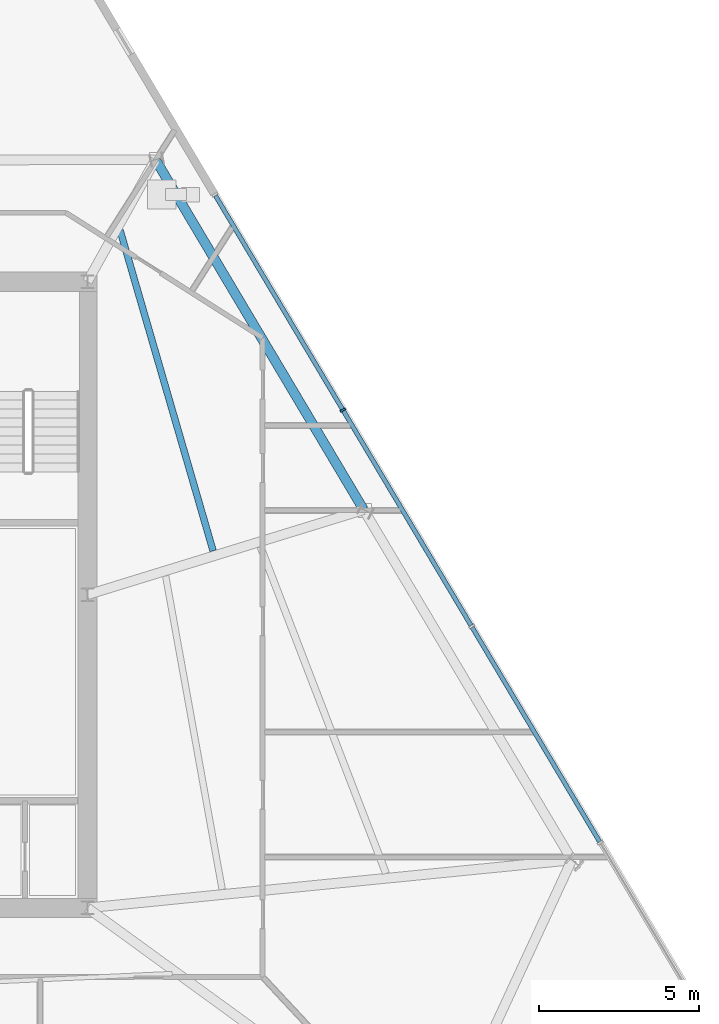
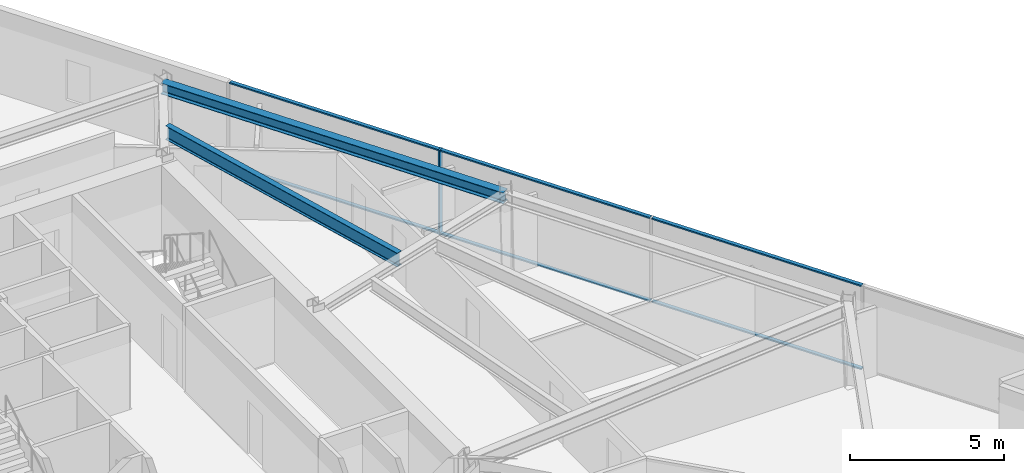
# One storey, part 5 of 15: 7 members, 2 beams, 1 element without a shape of its own.
"""IFC4 building model written with IfcOpenShell, lengths in metres."""

import ifcopenshell
import ifcopenshell.guid

model = None  # the IFC model being written
_history = None  # IfcOwnerHistory: only IFC2X3 demands one
_inside = {}  # id of a spatial element -> (the spatial element, [elements in it])
_under = {}  # id of a project, library or spatial element -> (it, [spatial elements below it])
_declared = {}  # id of a project -> (the project, [libraries it declares])
_typed = {}  # id of a type object -> (the type object, [elements of that type])
_made_of = {}  # id of a material, layer set ... -> (it, [elements and type objects made of it])


def new_model(schema):
    """Start an empty IFC model of exactly this schema.

    Asked for "IFC4X3", IfcOpenShell would pick the latest addendum, in which some entities
    have other attributes; the version numbers below select the first issue.
    IFC2X3 requires an IfcOwnerHistory on every rooted entity: one is made here for all.
    """
    global model, _history
    if schema == "IFC4X3":
        model = ifcopenshell.file(schema_version=(4, 3, 0, 0))
    else:
        model = ifcopenshell.file(schema=schema)
    _inside.clear()
    _under.clear()
    _declared.clear()
    _typed.clear()
    _made_of.clear()
    _history = None
    if model.schema == "IFC2X3":
        org = make("IfcOrganization", Name="unknown")
        user = make(
            "IfcPersonAndOrganization",
            ThePerson=make("IfcPerson", FamilyName="unknown"),
            TheOrganization=org,
        )
        app = make(
            "IfcApplication",
            ApplicationDeveloper=org,
            Version="unknown",
            ApplicationFullName="unknown",
            ApplicationIdentifier="unknown",
        )
        _history = make(
            "IfcOwnerHistory",
            OwningUser=user,
            OwningApplication=app,
            ChangeAction="ADDED",
            CreationDate=0,
        )
    return model


def make(cls, **values):
    """One entity of the class cls with the attributes given. An attribute that is None is left unset."""
    return model.create_entity(
        cls, **{name: value for name, value in values.items() if value is not None}
    )


def rooted(cls, **values):
    """An entity with a GlobalId (a new one), such as an element, a storey or a relation."""
    return make(cls, GlobalId=ifcopenshell.guid.new(), OwnerHistory=_history, **values)


def si_unit(unit_type, name, prefix=None):
    """IfcSIUnit, for example si_unit("LENGTHUNIT", "METRE", prefix="MILLI")."""
    return make("IfcSIUnit", UnitType=unit_type, Prefix=prefix, Name=name)


def assignment(units):
    """IfcUnitAssignment: the units of a project."""
    return None if units is None else make("IfcUnitAssignment", Units=units)


def point(xyz):
    """IfcCartesianPoint."""
    return None if xyz is None else make("IfcCartesianPoint", Coordinates=xyz)


def direction(xyz):
    """IfcDirection."""
    return None if xyz is None else make("IfcDirection", DirectionRatios=xyz)


def frame(location, z_axis=None, x_axis=None):
    """IfcAxis2Placement3D, a coordinate frame: its origin and axes. An axis left out is left unset."""
    return make(
        "IfcAxis2Placement3D",
        Location=point(location),
        Axis=direction(z_axis),
        RefDirection=direction(x_axis),
    )


def frame_2d(location, x_axis=None):
    """IfcAxis2Placement2D, a coordinate frame in the plane: its origin and x axis."""
    return make(
        "IfcAxis2Placement2D", Location=point(location), RefDirection=direction(x_axis)
    )


def origin():
    """The frame at (0, 0, 0) with its axes left unset."""
    return frame((0.0, 0.0, 0.0))


def origin_2d():
    """The frame at (0, 0) in the plane with its x axis left unset."""
    return frame_2d((0.0, 0.0))


def place(relative_to, where):
    """IfcLocalPlacement: puts the frame where relative to a parent placement (None: the world)."""
    return make(
        "IfcLocalPlacement", PlacementRelTo=relative_to, RelativePlacement=where
    )


def context(
    kind, dimensions, precision=None, world=None, true_north=None, identifier=None
):
    """IfcGeometricRepresentationContext, for example the 3D "Model" context."""
    return make(
        "IfcGeometricRepresentationContext",
        ContextIdentifier=identifier,
        ContextType=kind,
        CoordinateSpaceDimension=dimensions,
        Precision=precision,
        WorldCoordinateSystem=world,
        TrueNorth=true_north,
    )


def subcontext(parent, identifier, kind, view, scale=None):
    """IfcGeometricRepresentationSubContext, for example "Body" below "Model"."""
    return make(
        "IfcGeometricRepresentationSubContext",
        ContextIdentifier=identifier,
        ContextType=kind,
        ParentContext=parent,
        TargetScale=scale,
        TargetView=view,
    )


def project(units=None, contexts=None):
    """IfcProject with its units and contexts."""
    return rooted(
        "IfcProject",
        Name="project",
        RepresentationContexts=contexts,
        UnitsInContext=assignment(units),
    )


def spatial(cls, under=None, at=None, **own):
    """A site, building, storey or space (cls), placed at a placement, below another one or the project."""
    s = rooted(cls, ObjectPlacement=at, **own)
    if under is not None:
        _under.setdefault(under.id(), (under, []))[1].append(s)
    return s


def profile(cls, at=None, kind="AREA", **sizes):
    """A parametric profile (cls). Its sizes go by their IFC names, for example OverallWidth=200.0."""
    return make(cls, ProfileType=kind, Position=at, **sizes)


def rectangle(**sizes):
    """IfcRectangleProfileDef."""
    return profile("IfcRectangleProfileDef", **sizes)


def i_section(**sizes):
    """IfcIShapeProfileDef."""
    return profile("IfcIShapeProfileDef", **sizes)


def extrude(swept, where, along, depth):
    """IfcExtrudedAreaSolid: the profile swept, set in the frame where, extruded along a direction by depth."""
    return make(
        "IfcExtrudedAreaSolid",
        SweptArea=swept,
        Position=where,
        ExtrudedDirection=direction(along),
        Depth=depth,
    )


def shape(context_of_items, identifier, shape_type, items):
    """IfcShapeRepresentation: the items that make up one representation, for example the "Body"."""
    return make(
        "IfcShapeRepresentation",
        ContextOfItems=context_of_items,
        RepresentationIdentifier=identifier,
        RepresentationType=shape_type,
        Items=items,
    )


def material(Name=None, Category=None):
    """IfcMaterial."""
    return make("IfcMaterial", Name=Name, Category=Category)


def material_profile(
    of_material, cross_section, Name=None, Category=None, Priority=None
):
    """IfcMaterialProfile: a cross section and its material."""
    return make(
        "IfcMaterialProfile",
        Name=Name,
        Material=of_material,
        Profile=cross_section,
        Priority=Priority,
        Category=Category,
    )


def profile_set(profiles, Name=None, composite=None):
    """IfcMaterialProfileSet."""
    return make(
        "IfcMaterialProfileSet",
        Name=Name,
        MaterialProfiles=profiles,
        CompositeProfile=composite,
    )


def made_of(thing, what):
    """Note that an element or type object is made of a material, layer set ...; save() writes the relation."""
    if what is not None:
        _made_of.setdefault(what.id(), (what, []))[1].append(thing)
    return thing


def type_object(cls, material=None, **own):
    """A type object (cls), such as IfcWallType, which elements share."""
    return made_of(rooted(cls, **own), material)


def element(
    cls,
    number,
    at=None,
    inside=None,
    cuts=None,
    type_object=None,
    material=None,
    context=None,
    identifier="Body",
    shape_type=None,
    held_by="IfcProductDefinitionShape",
    body=None,
    shapes=None,
    **own,
):
    """One element of the class cls, such as IfcWall. Its Tag is "e" and its number.

    at: its placement. inside: the storey or other place that contains it. cuts: it is an
    opening in that element (IfcRelVoidsElement). A single representation is given by context,
    identifier, shape_type and body (its items); several are given by shapes. held_by: the class
    of the entity that holds the representations. save() writes the other relations.
    """
    e = rooted(cls, Tag="e%d" % number, ObjectPlacement=at, **own)
    if body is not None:
        shapes = [shape(context, identifier, shape_type, body)]
    if shapes is not None:
        e.Representation = make(held_by, Representations=shapes)
    if inside is not None:
        _inside.setdefault(inside.id(), (inside, []))[1].append(e)
    if cuts is not None:
        rooted(
            "IfcRelVoidsElement", RelatingBuildingElement=cuts, RelatedOpeningElement=e
        )
    if type_object is not None:
        _typed.setdefault(type_object.id(), (type_object, []))[1].append(e)
    return made_of(e, material)


def aggregate(whole, parts):
    """IfcRelAggregates: a whole, such as a stair, and the parts it consists of."""
    return rooted("IfcRelAggregates", RelatingObject=whole, RelatedObjects=parts)


def save(model, path):
    """Write the relations noted so far, then the file.

    IfcRelAggregates (storeys below a building ...), IfcRelContainedInSpatialStructure (elements
    in a storey), IfcRelDefinesByType, IfcRelAssociatesMaterial and IfcRelDeclares: one each for
    every whole, place, type object, material and project.
    """
    for whole, parts in _under.values():
        aggregate(whole, parts)
    for where, things in _inside.values():
        rooted(
            "IfcRelContainedInSpatialStructure",
            RelatedElements=things,
            RelatingStructure=where,
        )
    for kind, things in _typed.values():
        rooted("IfcRelDefinesByType", RelatedObjects=things, RelatingType=kind)
    for what, things in _made_of.values():
        rooted("IfcRelAssociatesMaterial", RelatedObjects=things, RelatingMaterial=what)
    for by, libraries in _declared.values():
        rooted("IfcRelDeclares", RelatingContext=by, RelatedDefinitions=libraries)
    model.write(path)


model = new_model("IFC4")

# Units and contexts
model_context = context("Model", 3, precision=1e-05, world=origin(), true_north=direction((0.0, 1.0)))
body_context = subcontext(model_context, "Body", "Model", "MODEL_VIEW")
ifc_project = project(units=[si_unit("LENGTHUNIT", "METRE"), si_unit("AREAUNIT", "SQUARE_METRE"), si_unit("VOLUMEUNIT", "CUBIC_METRE"), si_unit("PLANEANGLEUNIT", "RADIAN"), si_unit("MASSUNIT", "GRAM", prefix="KILO")], contexts=[model_context])

# Site, building, storey
site_placement = place(None, origin())
site = spatial("IfcSite", under=ifc_project, at=site_placement, CompositionType="ELEMENT")
building_placement = place(site_placement, origin())
building = spatial("IfcBuilding", under=site, at=building_placement, Name="Savorim Split Tower", CompositionType="ELEMENT")
storey_placement = place(building_placement, frame((0.0, 0.0, 114.89990234375)))
storey = spatial("IfcBuildingStorey", under=building, at=storey_placement, Name="L30", CompositionType="ELEMENT", Elevation=114.89990234375)

# Beams
ifc_material_1 = material(Name="Steel S355", Category="steel")
ifc_material_profile_1 = material_profile(ifc_material_1, i_section(OverallWidth=0.2099609375, OverallDepth=0.550048828125, WebThickness=0.010986328125, FlangeThickness=0.01708984375, FilletRadius=0.02392578125, at=origin_2d()), Name="IPE 550")
ifc_profile_set_1 = profile_set([ifc_material_profile_1], Name="Steel S355")
beam_type_1 = type_object("IfcBeamType", Name="BM-JST-IPE550", PredefinedType="JOIST", material=ifc_profile_set_1)
beam_1_placement = place(storey_placement, frame((11.632568359375, 1.77783203125, 3.0751953125), z_axis=(-0.278616774974, 0.960402359797, 0.0), x_axis=(-0.960402359797, -0.278616774974, 0.0)))
element("IfcBeam", 1, at=beam_1_placement, inside=storey, type_object=beam_type_1, Name="L30 Secondary Floor Joist JS-07", PredefinedType="JOIST", context=body_context, shape_type="SweptSolid", body=[
    extrude(i_section(OverallWidth=0.2099609375, OverallDepth=0.550048828125, WebThickness=0.010986328125, FlangeThickness=0.01708984375, FilletRadius=0.02392578125, at=origin_2d()), origin(), (0.0, 0.0, 1.0), 10.439697265625),
])
ifc_material_profile_2 = material_profile(ifc_material_1, i_section(OverallWidth=0.300048828125, OverallDepth=0.43994140625, WebThickness=0.011474609375, FlangeThickness=0.02099609375, FilletRadius=0.027099609375, at=origin_2d()), Name="HEA 450")
ifc_profile_set_2 = profile_set([ifc_material_profile_2], Name="Steel S355")
beam_type_2 = type_object("IfcBeamType", Name="BM-SPN-HEA450", PredefinedType="SPANDREL", material=ifc_profile_set_2)
beam_2_placement = place(storey_placement, frame((16.345947265625, 3.061279296875, 3.130126953125), z_axis=(-0.51108762653, 0.859528613839, 0.0), x_axis=(-0.859528613839, -0.51108762653, 0.0)))
element("IfcBeam", 2, at=beam_2_placement, inside=storey, type_object=beam_type_2, Name="L30 Perimeter Spandrel Beam 6", PredefinedType="SPANDREL", context=body_context, shape_type="SweptSolid", body=[
    extrude(i_section(OverallWidth=0.300048828125, OverallDepth=0.43994140625, WebThickness=0.011474609375, FlangeThickness=0.02099609375, FilletRadius=0.027099609375, at=origin_2d()), origin(), (0.0, 0.0, 1.0), 12.75146484375),
])

# Curtain wall, members
ifc_material_2 = material(Name="Dark Ceramic-Fritted Insulated Glass", Category="glass")
curtain_wall_type = type_object("IfcCurtainWallType", Name="CW-TWR-FRIT-A", PredefinedType="NOTDEFINED", material=ifc_material_2)
curtain_wall_placement = place(storey_placement, origin())
curtain_wall = element("IfcCurtainWall", 3, at=curtain_wall_placement, inside=storey, type_object=curtain_wall_type, Name="L30 Curtain Wall CW-L30-EAST", PredefinedType="NOTDEFINED")
ifc_material_3 = material(Name="Charcoal Anodised Aluminium", Category="aluminium")
ifc_material_profile_3 = material_profile(ifc_material_3, rectangle(XDim=0.179931640625, YDim=0.06494140625, at=origin_2d()), Name="ALU-M 180x65")
ifc_profile_set_3 = profile_set([ifc_material_profile_3], Name="Charcoal Anodised Aluminium")
member_type_1 = type_object("IfcMemberType", Name="CWM-180x65", PredefinedType="MULLION", material=ifc_profile_set_3)
member_1_placement = place(storey_placement, frame((15.6982421875, 6.1806640625, 0.0), z_axis=(0.0, 0.0, 1.0), x_axis=(-0.859525409745, -0.51109301502, 0.0)))
member_1 = element("IfcMember", 4, at=member_1_placement, type_object=member_type_1, Name="CW-02 mullion 4", PredefinedType="MULLION", context=body_context, shape_type="SweptSolid", body=[
    extrude(rectangle(XDim=0.179931640625, YDim=0.06494140625, at=origin_2d()), origin(), (0.0, 0.0, 1.0), 3.35009765625),
])
ifc_material_profile_4 = material_profile(ifc_material_3, rectangle(XDim=0.139892578125, YDim=0.054931640625, at=origin_2d()), Name="ALU-T 140x55")
ifc_profile_set_4 = profile_set([ifc_material_profile_4], Name="Charcoal Anodised Aluminium")
member_type_2 = type_object("IfcMemberType", Name="CWT-140x55", PredefinedType="USERDEFINED", material=ifc_profile_set_4)
member_2_placement = place(storey_placement, frame((23.7314453125, -7.328857421875, 0.027587890625), z_axis=(-0.511099111731, 0.859521784475, 0.0), x_axis=(-0.859521784475, -0.511099111731, 0.0)))
member_2 = element("IfcMember", 5, at=member_2_placement, type_object=member_type_2, Name="CW-02 transom 2.1", ObjectType="TRANSOM", PredefinedType="USERDEFINED", context=body_context, shape_type="SweptSolid", body=[
    extrude(rectangle(XDim=0.139892578125, YDim=0.054931640625, at=origin_2d()), origin(), (0.0, 0.0, 1.0), 7.81005859375),
])
member_3_placement = place(storey_placement, frame((23.7314453125, -7.328857421875, 3.322509765625), z_axis=(-0.511099111731, 0.859521784475, 0.0), x_axis=(-0.859521784475, -0.511099111731, 0.0)))
member_3 = element("IfcMember", 6, at=member_3_placement, type_object=member_type_2, Name="CW-02 transom 2.2", ObjectType="TRANSOM", PredefinedType="USERDEFINED", context=body_context, shape_type="SweptSolid", body=[
    extrude(rectangle(XDim=0.139892578125, YDim=0.054931640625, at=origin_2d()), origin(), (0.0, 0.0, 1.0), 7.81005859375),
])
member_4_placement = place(storey_placement, frame((19.70654296875, -0.56005859375, 0.027587890625), z_axis=(-0.511099111731, 0.859521784475, 0.0), x_axis=(-0.859521784475, -0.511099111731, 0.0)))
member_4 = element("IfcMember", 7, at=member_4_placement, type_object=member_type_2, Name="CW-02 transom 3.1", ObjectType="TRANSOM", PredefinedType="USERDEFINED", context=body_context, shape_type="SweptSolid", body=[
    extrude(rectangle(XDim=0.139892578125, YDim=0.054931640625, at=origin_2d()), origin(), (0.0, 0.0, 1.0), 7.81005859375),
])
member_5_placement = place(storey_placement, frame((19.70654296875, -0.56005859375, 3.322509765625), z_axis=(-0.511099111731, 0.859521784475, 0.0), x_axis=(-0.859521784475, -0.511099111731, 0.0)))
member_5 = element("IfcMember", 8, at=member_5_placement, type_object=member_type_2, Name="CW-02 transom 3.2", ObjectType="TRANSOM", PredefinedType="USERDEFINED", context=body_context, shape_type="SweptSolid", body=[
    extrude(rectangle(XDim=0.139892578125, YDim=0.054931640625, at=origin_2d()), origin(), (0.0, 0.0, 1.0), 7.81005859375),
])
member_6_placement = place(storey_placement, frame((15.681640625, 6.208740234375, 0.027587890625), z_axis=(-0.511084795046, 0.859530297472, 0.0), x_axis=(-0.859530297472, -0.511084795046, 0.0)))
member_6 = element("IfcMember", 9, at=member_6_placement, type_object=member_type_2, Name="CW-02 transom 4.1", ObjectType="TRANSOM", PredefinedType="USERDEFINED", context=body_context, shape_type="SweptSolid", body=[
    extrude(rectangle(XDim=0.139892578125, YDim=0.054931640625, at=origin_2d()), origin(), (0.0, 0.0, 1.0), 7.77734375),
])
member_7_placement = place(storey_placement, frame((15.681640625, 6.208740234375, 3.322509765625), z_axis=(-0.511084795046, 0.859530297472, 0.0), x_axis=(-0.859530297472, -0.511084795046, 0.0)))
member_7 = element("IfcMember", 10, at=member_7_placement, type_object=member_type_2, Name="CW-02 transom 4.2", ObjectType="TRANSOM", PredefinedType="USERDEFINED", context=body_context, shape_type="SweptSolid", body=[
    extrude(rectangle(XDim=0.139892578125, YDim=0.054931640625, at=origin_2d()), origin(), (0.0, 0.0, 1.0), 7.77734375),
])
aggregate(curtain_wall, [member_1, member_2, member_3, member_4, member_5, member_6, member_7])

save(model, "model.ifc")
